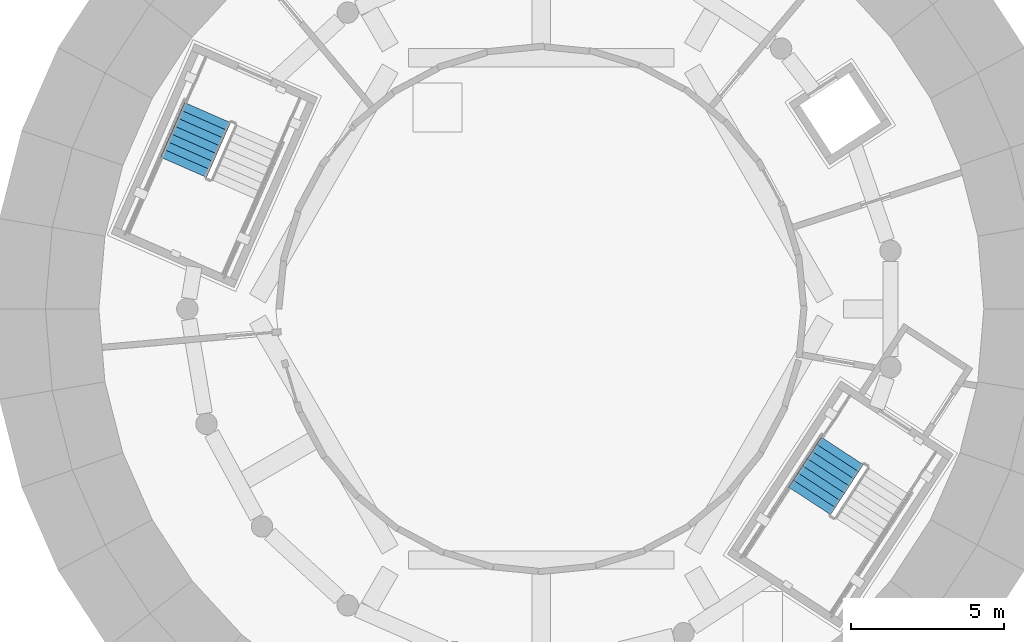
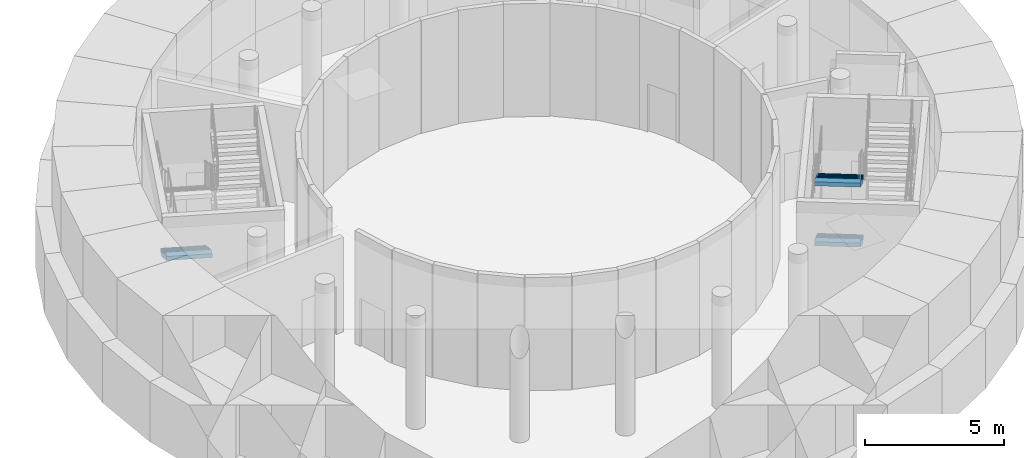
# One storey, part 79 of 125: 3 stair flights, 2 elements without a shape of their own.
"""IFC4 building model written with IfcOpenShell, lengths in metres."""

from ifc_helpers import new_model, si_unit, direction, frame, origin, place, context, subcontext, project, spatial, polyline, outline, extrude, material, type_object, element, aggregate, save


model = new_model("IFC4")

# Units and contexts
model_context = context("Model", 3, precision=1e-05, world=origin(), true_north=direction((0.0, 1.0)))
body_context = subcontext(model_context, "Body", "Model", "MODEL_VIEW")
ifc_project = project(units=[si_unit("LENGTHUNIT", "METRE"), si_unit("AREAUNIT", "SQUARE_METRE"), si_unit("VOLUMEUNIT", "CUBIC_METRE"), si_unit("PLANEANGLEUNIT", "RADIAN"), si_unit("MASSUNIT", "GRAM", prefix="KILO")], contexts=[model_context])

# Site, building, storey
site_placement = place(None, origin())
site = spatial("IfcSite", under=ifc_project, at=site_placement, CompositionType="ELEMENT")
building_placement = place(site_placement, origin())
building = spatial("IfcBuilding", under=site, at=building_placement, Name="Sun Court Science Centre", CompositionType="ELEMENT")
storey_placement = place(building_placement, frame((0.0, 0.0, 6.0)))
storey = spatial("IfcBuildingStorey", under=building, at=storey_placement, Name="L01", CompositionType="ELEMENT", Elevation=6.0)

# Stair, stair flights
ifc_material_1 = material(Name="Concrete C25/30", Category="concrete")
stair_type = type_object("IfcStairType", Name="Stair 1500 drum half-turn", PredefinedType="HALF_TURN_STAIR", material=ifc_material_1)
stair_1_placement = place(storey_placement, origin())
stair_1 = element("IfcStair", 1, at=stair_1_placement, inside=storey, type_object=stair_type, Name="L01 Stair PS1", PredefinedType="HALF_TURN_STAIR")
ifc_material_2 = material(Name="Concrete C25/30", Category="concrete")
stair_flight_type = type_object("IfcStairFlightType", Name="Stair flight 1500 with waist", PredefinedType="STRAIGHT", material=ifc_material_2)
stair_flight_1_placement = place(storey_placement, frame((60.86376953125, 92.14990234375, 0.0), z_axis=(0.0, 0.0, 1.0), x_axis=(-0.546948161968, -0.83716647575, 0.0)))
stair_flight_1 = element("IfcStairFlight", 2, at=stair_flight_1_placement, type_object=stair_flight_type, Name="PS1 flight 1", NumberOfRisers=8, NumberOfTreads=7, PredefinedType="STRAIGHT", RiserHeight=0.1640625, TreadLength=0.28, context=body_context, shape_type="SweptSolid", body=[
    extrude(outline(polyline([(0.0, 0.0), (0.0, 0.00244140625), (0.0, 0.0048828125), (0.0, 0.00732421875), (0.0, 0.009765625), (0.0, 0.01220703125), (0.0, 0.0146484375), (0.0, 0.01708984375), (0.0, 0.01953125), (0.0, 0.02197265625), (0.0, 0.0244140625), (0.0, 0.02685546875), (0.0, 0.029296875), (0.0, 0.03173828125), (0.0, 0.0341796875), (0.0, 0.03662109375), (0.0, 0.0390625), (0.0, 0.04150390625), (0.0, 0.0439453125), (0.0, 0.04638671875), (0.0, 0.048828125), (0.0, 0.05126953125), (0.0, 0.0537109375), (0.0, 0.05615234375), (0.0, 0.05859375), (0.0, 0.06103515625), (0.0, 0.0634765625), (0.0, 0.06591796875), (0.0, 0.068359375), (0.0, 0.07080078125), (0.0, 0.0732421875), (0.0, 0.07568359375), (0.0, 0.078125), (0.0, 0.08056640625), (0.0, 0.0830078125), (0.0, 0.08544921875), (0.0, 0.087890625), (0.0, 0.09033203125), (0.0, 0.0927734375), (0.0, 0.09521484375), (0.0, 0.09765625), (0.0, 0.10009765625), (0.0, 0.1025390625), (0.0, 0.10498046875), (0.0, 0.107421875), (0.0, 0.10986328125), (0.0, 0.1123046875), (0.0, 0.11474609375), (0.0, 0.1171875), (0.0, 0.11962890625), (0.0, 0.1220703125), (0.0, 0.12451171875), (0.0, 0.126953125), (0.0, 0.12939453125), (0.0, 0.1318359375), (0.0, 0.13427734375), (0.0, 0.13671875), (0.0, 0.13916015625), (0.0, 0.1416015625), (0.0, 0.14404296875), (0.0, 0.146484375), (0.0, 0.14892578125), (0.0, 0.1513671875), (0.0, 0.15380859375), (0.0, 0.15625), (0.0, 0.15869140625), (0.0, 0.1611328125), (0.0, 0.1640625), (0.280029296875, 0.1640625), (0.280029296875, 0.328125), (0.56005859375, 0.328125), (0.56005859375, 0.4921875), (0.840087890625, 0.4921875), (0.840087890625, 0.65625), (1.1201171875, 0.65625), (1.1201171875, 0.8203125), (1.39990234375, 0.8203125), (1.39990234375, 0.984375), (1.679931640625, 0.984375), (1.679931640625, 1.1484375), (1.9599609375, 1.1484375), (1.9599609375, 1.15087890625), (1.9599609375, 1.1533203125), (1.9599609375, 1.15576171875), (1.9599609375, 1.158203125), (1.9599609375, 1.16064453125), (1.9599609375, 1.1630859375), (1.9599609375, 1.16552734375), (1.9599609375, 1.16796875), (1.9599609375, 1.17041015625), (1.9599609375, 1.1728515625), (1.9599609375, 1.17529296875), (1.9599609375, 1.177734375), (1.9599609375, 1.18017578125), (1.9599609375, 1.1826171875), (1.9599609375, 1.18505859375), (1.9599609375, 1.1875), (1.9599609375, 1.18994140625), (1.9599609375, 1.1923828125), (1.9599609375, 1.19482421875), (1.9599609375, 1.197265625), (1.9599609375, 1.19970703125), (1.9599609375, 1.2021484375), (1.9599609375, 1.20458984375), (1.9599609375, 1.20703125), (1.9599609375, 1.20947265625), (1.9599609375, 1.2119140625), (1.9599609375, 1.21435546875), (1.9599609375, 1.216796875), (1.9599609375, 1.21923828125), (1.9599609375, 1.2216796875), (1.9599609375, 1.22412109375), (1.9599609375, 1.2265625), (1.9599609375, 1.22900390625), (1.9599609375, 1.2314453125), (1.9599609375, 1.23388671875), (1.9599609375, 1.236328125), (1.9599609375, 1.23876953125), (1.9599609375, 1.2412109375), (1.9599609375, 1.24365234375), (1.9599609375, 1.24609375), (1.9599609375, 1.24853515625), (1.9599609375, 1.2509765625), (1.9599609375, 1.25341796875), (1.9599609375, 1.255859375), (1.9599609375, 1.25830078125), (1.9599609375, 1.2607421875), (1.9599609375, 1.26318359375), (1.9599609375, 1.265625), (1.9599609375, 1.26806640625), (1.9599609375, 1.2705078125), (1.9599609375, 1.27294921875), (1.9599609375, 1.275390625), (1.9599609375, 1.27783203125), (1.9599609375, 1.2802734375), (1.9599609375, 1.28271484375), (1.9599609375, 1.28515625), (1.9599609375, 1.28759765625), (1.9599609375, 1.2900390625), (1.9599609375, 1.29248046875), (1.9599609375, 1.294921875), (1.9599609375, 1.29736328125), (1.9599609375, 1.2998046875), (1.9599609375, 1.30224609375), (1.9599609375, 1.3046875), (1.9599609375, 1.30712890625), (1.9599609375, 1.3095703125), (1.9599609375, 1.3125), (1.9599609375, 1.31005859375), (1.9599609375, 1.3076171875), (1.9599609375, 1.30517578125), (1.9599609375, 1.302734375), (1.9599609375, 1.30029296875), (1.9599609375, 1.2978515625), (1.9599609375, 1.29541015625), (1.9599609375, 1.29296875), (1.9599609375, 1.29052734375), (1.9599609375, 1.2880859375), (1.9599609375, 1.28564453125), (1.9599609375, 1.283203125), (1.9599609375, 1.28076171875), (1.9599609375, 1.2783203125), (1.9599609375, 1.27587890625), (1.9599609375, 1.2734375), (1.9599609375, 1.27099609375), (1.9599609375, 1.2685546875), (1.9599609375, 1.26611328125), (1.9599609375, 1.263671875), (1.9599609375, 1.26123046875), (1.9599609375, 1.2587890625), (1.9599609375, 1.25634765625), (1.9599609375, 1.25390625), (1.9599609375, 1.25146484375), (1.9599609375, 1.2490234375), (1.9599609375, 1.24658203125), (1.9599609375, 1.244140625), (1.9599609375, 1.24169921875), (1.9599609375, 1.2392578125), (1.9599609375, 1.23681640625), (1.9599609375, 1.234375), (1.9599609375, 1.23193359375), (1.9599609375, 1.2294921875), (1.9599609375, 1.22705078125), (1.9599609375, 1.224609375), (1.9599609375, 1.22216796875), (1.9599609375, 1.2197265625), (1.9599609375, 1.21728515625), (1.9599609375, 1.21484375), (1.9599609375, 1.21240234375), (1.9599609375, 1.2099609375), (1.9599609375, 1.20751953125), (1.9599609375, 1.205078125), (1.9599609375, 1.20263671875), (1.9599609375, 1.2001953125), (1.9599609375, 1.19775390625), (1.9599609375, 1.1953125), (1.9599609375, 1.19287109375), (1.9599609375, 1.1904296875), (1.9599609375, 1.18798828125), (1.9599609375, 1.185546875), (1.9599609375, 1.18310546875), (1.9599609375, 1.1806640625), (1.9599609375, 1.17822265625), (1.9599609375, 1.17578125), (1.9599609375, 1.17333984375), (1.9599609375, 1.1708984375), (1.9599609375, 1.16845703125), (1.9599609375, 1.166015625), (1.9599609375, 1.16357421875), (1.9599609375, 1.1611328125), (1.9599609375, 1.15869140625), (1.9599609375, 1.15625), (1.9599609375, 1.15380859375), (1.9599609375, 1.1513671875), (1.9599609375, 1.14892578125), (1.9599609375, 1.146484375), (1.9599609375, 1.14404296875), (1.9599609375, 1.1416015625), (1.9599609375, 1.13916015625), (1.9599609375, 1.13671875), (1.9599609375, 1.13427734375), (1.9599609375, 1.1318359375), (1.9599609375, 1.12939453125), (1.9599609375, 1.126953125), (1.9599609375, 1.12451171875), (1.9599609375, 1.1220703125), (1.9599609375, 1.11962890625), (1.9599609375, 1.1171875), (1.9599609375, 1.11474609375), (1.9599609375, 1.1123046875), (1.9599609375, 1.10986328125), (1.9599609375, 1.107421875), (1.9599609375, 1.10498046875), (1.9599609375, 1.1025390625), (1.9599609375, 1.10009765625), (1.9599609375, 1.09765625), (1.9599609375, 1.09521484375), (1.9599609375, 1.0927734375), (1.9599609375, 1.09033203125), (1.9599609375, 1.087890625), (1.9599609375, 1.08544921875), (1.9599609375, 1.0830078125), (1.9599609375, 1.08056640625), (1.9599609375, 1.078125), (1.9599609375, 1.07568359375), (1.9599609375, 1.0732421875), (1.9599609375, 1.07080078125), (1.9599609375, 1.068359375), (1.9599609375, 1.06591796875), (1.9599609375, 1.0634765625), (1.9599609375, 1.06103515625), (1.9599609375, 1.05859375), (1.9599609375, 1.05615234375), (1.9599609375, 1.0537109375), (1.9599609375, 1.05126953125), (1.9599609375, 1.048828125), (1.9599609375, 1.04638671875), (1.9599609375, 1.0439453125), (1.9599609375, 1.04150390625), (1.9599609375, 1.0390625), (1.9599609375, 1.03662109375), (1.9599609375, 1.0341796875), (1.9599609375, 1.03173828125), (1.9599609375, 1.029296875), (1.9599609375, 1.02685546875), (1.9599609375, 1.0244140625), (1.9599609375, 1.02197265625), (1.9599609375, 1.01953125), (1.9599609375, 1.01708984375), (1.9599609375, 1.0146484375), (1.9599609375, 1.01220703125), (1.9599609375, 1.009765625), (1.9599609375, 1.00732421875), (1.9599609375, 1.0048828125), (1.9599609375, 1.00244140625), (1.9599609375, 1.0), (1.9599609375, 0.99755859375), (1.9599609375, 0.9951171875), (1.9599609375, 0.99267578125), (1.9599609375, 0.990234375), (1.9599609375, 0.98779296875), (1.9599609375, 0.9853515625), (1.9599609375, 0.98291015625), (1.9599609375, 0.98046875), (1.9599609375, 0.97802734375), (1.9599609375, 0.974609375), (0.296630859375, 0.0), (0.0, 0.0)])), frame((0.0, 0.823974609375, 0.0), z_axis=(0.0, -1.0, 0.0), x_axis=(1.0, 0.0, 0.0)), (0.0, 0.0, 1.0), 1.64794921875),
])
stair_flight_2_placement = place(storey_placement, frame((60.86376953125, 92.14990234375, 2.625), z_axis=(0.0, 0.0, 1.0), x_axis=(-0.546948161968, -0.83716647575, 0.0)))
stair_flight_2 = element("IfcStairFlight", 3, at=stair_flight_2_placement, type_object=stair_flight_type, Name="PS1 flight 3", NumberOfRisers=8, NumberOfTreads=7, PredefinedType="STRAIGHT", RiserHeight=0.1640625, TreadLength=0.28, context=body_context, shape_type="SweptSolid", body=[
    extrude(outline(polyline([(0.0, 0.0), (0.0, 0.00244140625), (0.0, 0.0048828125), (0.0, 0.00732421875), (0.0, 0.009765625), (0.0, 0.01220703125), (0.0, 0.0146484375), (0.0, 0.01708984375), (0.0, 0.01953125), (0.0, 0.02197265625), (0.0, 0.0244140625), (0.0, 0.02685546875), (0.0, 0.029296875), (0.0, 0.03173828125), (0.0, 0.0341796875), (0.0, 0.03662109375), (0.0, 0.0390625), (0.0, 0.04150390625), (0.0, 0.0439453125), (0.0, 0.04638671875), (0.0, 0.048828125), (0.0, 0.05126953125), (0.0, 0.0537109375), (0.0, 0.05615234375), (0.0, 0.05859375), (0.0, 0.06103515625), (0.0, 0.0634765625), (0.0, 0.06591796875), (0.0, 0.068359375), (0.0, 0.07080078125), (0.0, 0.0732421875), (0.0, 0.07568359375), (0.0, 0.078125), (0.0, 0.08056640625), (0.0, 0.0830078125), (0.0, 0.08544921875), (0.0, 0.087890625), (0.0, 0.09033203125), (0.0, 0.0927734375), (0.0, 0.09521484375), (0.0, 0.09765625), (0.0, 0.10009765625), (0.0, 0.1025390625), (0.0, 0.10498046875), (0.0, 0.107421875), (0.0, 0.10986328125), (0.0, 0.1123046875), (0.0, 0.11474609375), (0.0, 0.1171875), (0.0, 0.11962890625), (0.0, 0.1220703125), (0.0, 0.12451171875), (0.0, 0.126953125), (0.0, 0.12939453125), (0.0, 0.1318359375), (0.0, 0.13427734375), (0.0, 0.13671875), (0.0, 0.13916015625), (0.0, 0.1416015625), (0.0, 0.14404296875), (0.0, 0.146484375), (0.0, 0.14892578125), (0.0, 0.1513671875), (0.0, 0.15380859375), (0.0, 0.15625), (0.0, 0.15869140625), (0.0, 0.1611328125), (0.0, 0.1640625), (0.280029296875, 0.1640625), (0.280029296875, 0.328125), (0.56005859375, 0.328125), (0.56005859375, 0.4921875), (0.840087890625, 0.4921875), (0.840087890625, 0.65625), (1.1201171875, 0.65625), (1.1201171875, 0.8203125), (1.39990234375, 0.8203125), (1.39990234375, 0.984375), (1.679931640625, 0.984375), (1.679931640625, 1.1484375), (1.9599609375, 1.1484375), (1.9599609375, 1.15087890625), (1.9599609375, 1.1533203125), (1.9599609375, 1.15576171875), (1.9599609375, 1.158203125), (1.9599609375, 1.16064453125), (1.9599609375, 1.1630859375), (1.9599609375, 1.16552734375), (1.9599609375, 1.16796875), (1.9599609375, 1.17041015625), (1.9599609375, 1.1728515625), (1.9599609375, 1.17529296875), (1.9599609375, 1.177734375), (1.9599609375, 1.18017578125), (1.9599609375, 1.1826171875), (1.9599609375, 1.18505859375), (1.9599609375, 1.1875), (1.9599609375, 1.18994140625), (1.9599609375, 1.1923828125), (1.9599609375, 1.19482421875), (1.9599609375, 1.197265625), (1.9599609375, 1.19970703125), (1.9599609375, 1.2021484375), (1.9599609375, 1.20458984375), (1.9599609375, 1.20703125), (1.9599609375, 1.20947265625), (1.9599609375, 1.2119140625), (1.9599609375, 1.21435546875), (1.9599609375, 1.216796875), (1.9599609375, 1.21923828125), (1.9599609375, 1.2216796875), (1.9599609375, 1.22412109375), (1.9599609375, 1.2265625), (1.9599609375, 1.22900390625), (1.9599609375, 1.2314453125), (1.9599609375, 1.23388671875), (1.9599609375, 1.236328125), (1.9599609375, 1.23876953125), (1.9599609375, 1.2412109375), (1.9599609375, 1.24365234375), (1.9599609375, 1.24609375), (1.9599609375, 1.24853515625), (1.9599609375, 1.2509765625), (1.9599609375, 1.25341796875), (1.9599609375, 1.255859375), (1.9599609375, 1.25830078125), (1.9599609375, 1.2607421875), (1.9599609375, 1.26318359375), (1.9599609375, 1.265625), (1.9599609375, 1.26806640625), (1.9599609375, 1.2705078125), (1.9599609375, 1.27294921875), (1.9599609375, 1.275390625), (1.9599609375, 1.27783203125), (1.9599609375, 1.2802734375), (1.9599609375, 1.28271484375), (1.9599609375, 1.28515625), (1.9599609375, 1.28759765625), (1.9599609375, 1.2900390625), (1.9599609375, 1.29248046875), (1.9599609375, 1.294921875), (1.9599609375, 1.29736328125), (1.9599609375, 1.2998046875), (1.9599609375, 1.30224609375), (1.9599609375, 1.3046875), (1.9599609375, 1.30712890625), (1.9599609375, 1.3095703125), (1.9599609375, 1.3125), (1.9599609375, 1.31005859375), (1.9599609375, 1.3076171875), (1.9599609375, 1.30517578125), (1.9599609375, 1.302734375), (1.9599609375, 1.30029296875), (1.9599609375, 1.2978515625), (1.9599609375, 1.29541015625), (1.9599609375, 1.29296875), (1.9599609375, 1.29052734375), (1.9599609375, 1.2880859375), (1.9599609375, 1.28564453125), (1.9599609375, 1.283203125), (1.9599609375, 1.28076171875), (1.9599609375, 1.2783203125), (1.9599609375, 1.27587890625), (1.9599609375, 1.2734375), (1.9599609375, 1.27099609375), (1.9599609375, 1.2685546875), (1.9599609375, 1.26611328125), (1.9599609375, 1.263671875), (1.9599609375, 1.26123046875), (1.9599609375, 1.2587890625), (1.9599609375, 1.25634765625), (1.9599609375, 1.25390625), (1.9599609375, 1.25146484375), (1.9599609375, 1.2490234375), (1.9599609375, 1.24658203125), (1.9599609375, 1.244140625), (1.9599609375, 1.24169921875), (1.9599609375, 1.2392578125), (1.9599609375, 1.23681640625), (1.9599609375, 1.234375), (1.9599609375, 1.23193359375), (1.9599609375, 1.2294921875), (1.9599609375, 1.22705078125), (1.9599609375, 1.224609375), (1.9599609375, 1.22216796875), (1.9599609375, 1.2197265625), (1.9599609375, 1.21728515625), (1.9599609375, 1.21484375), (1.9599609375, 1.21240234375), (1.9599609375, 1.2099609375), (1.9599609375, 1.20751953125), (1.9599609375, 1.205078125), (1.9599609375, 1.20263671875), (1.9599609375, 1.2001953125), (1.9599609375, 1.19775390625), (1.9599609375, 1.1953125), (1.9599609375, 1.19287109375), (1.9599609375, 1.1904296875), (1.9599609375, 1.18798828125), (1.9599609375, 1.185546875), (1.9599609375, 1.18310546875), (1.9599609375, 1.1806640625), (1.9599609375, 1.17822265625), (1.9599609375, 1.17578125), (1.9599609375, 1.17333984375), (1.9599609375, 1.1708984375), (1.9599609375, 1.16845703125), (1.9599609375, 1.166015625), (1.9599609375, 1.16357421875), (1.9599609375, 1.1611328125), (1.9599609375, 1.15869140625), (1.9599609375, 1.15625), (1.9599609375, 1.15380859375), (1.9599609375, 1.1513671875), (1.9599609375, 1.14892578125), (1.9599609375, 1.146484375), (1.9599609375, 1.14404296875), (1.9599609375, 1.1416015625), (1.9599609375, 1.13916015625), (1.9599609375, 1.13671875), (1.9599609375, 1.13427734375), (1.9599609375, 1.1318359375), (1.9599609375, 1.12939453125), (1.9599609375, 1.126953125), (1.9599609375, 1.12451171875), (1.9599609375, 1.1220703125), (1.9599609375, 1.11962890625), (1.9599609375, 1.1171875), (1.9599609375, 1.11474609375), (1.9599609375, 1.1123046875), (1.9599609375, 1.10986328125), (1.9599609375, 1.107421875), (1.9599609375, 1.10498046875), (1.9599609375, 1.1025390625), (1.9599609375, 1.10009765625), (1.9599609375, 1.09765625), (1.9599609375, 1.09521484375), (1.9599609375, 1.0927734375), (1.9599609375, 1.09033203125), (1.9599609375, 1.087890625), (1.9599609375, 1.08544921875), (1.9599609375, 1.0830078125), (1.9599609375, 1.08056640625), (1.9599609375, 1.078125), (1.9599609375, 1.07568359375), (1.9599609375, 1.0732421875), (1.9599609375, 1.07080078125), (1.9599609375, 1.068359375), (1.9599609375, 1.06591796875), (1.9599609375, 1.0634765625), (1.9599609375, 1.06103515625), (1.9599609375, 1.05859375), (1.9599609375, 1.05615234375), (1.9599609375, 1.0537109375), (1.9599609375, 1.05126953125), (1.9599609375, 1.048828125), (1.9599609375, 1.04638671875), (1.9599609375, 1.0439453125), (1.9599609375, 1.04150390625), (1.9599609375, 1.0390625), (1.9599609375, 1.03662109375), (1.9599609375, 1.0341796875), (1.9599609375, 1.03173828125), (1.9599609375, 1.029296875), (1.9599609375, 1.02685546875), (1.9599609375, 1.0244140625), (1.9599609375, 1.02197265625), (1.9599609375, 1.01953125), (1.9599609375, 1.01708984375), (1.9599609375, 1.0146484375), (1.9599609375, 1.01220703125), (1.9599609375, 1.009765625), (1.9599609375, 1.00732421875), (1.9599609375, 1.0048828125), (1.9599609375, 1.00244140625), (1.9599609375, 1.0), (1.9599609375, 0.99755859375), (1.9599609375, 0.9951171875), (1.9599609375, 0.99267578125), (1.9599609375, 0.990234375), (1.9599609375, 0.98779296875), (1.9599609375, 0.9853515625), (1.9599609375, 0.98291015625), (1.9599609375, 0.98046875), (1.9599609375, 0.97802734375), (1.9599609375, 0.974609375), (0.296630859375, 0.0), (0.0, 0.0)])), frame((0.0, 0.823974609375, 0.0), z_axis=(0.0, -1.0, 0.0), x_axis=(1.0, 0.0, 0.0)), (0.0, 0.0, 1.0), 1.64794921875),
])
aggregate(stair_1, [stair_flight_1, stair_flight_2])

# Stair, stair flight
stair_2_placement = place(storey_placement, origin())
stair_2 = element("IfcStair", 4, at=stair_2_placement, inside=storey, type_object=stair_type, Name="L01 Stair PS2", PredefinedType="HALF_TURN_STAIR")
stair_flight_3_placement = place(storey_placement, frame((40.0654296875, 103.236572265625, 0.0), z_axis=(0.0, 0.0, 1.0), x_axis=(-0.401695432224, -0.915773323334, 0.0)))
stair_flight_3 = element("IfcStairFlight", 5, at=stair_flight_3_placement, type_object=stair_flight_type, Name="PS2 flight 1", NumberOfRisers=8, NumberOfTreads=7, PredefinedType="STRAIGHT", RiserHeight=0.1640625, TreadLength=0.28, context=body_context, shape_type="SweptSolid", body=[
    extrude(outline(polyline([(0.0, 0.0), (0.0, 0.00244140625), (0.0, 0.0048828125), (0.0, 0.00732421875), (0.0, 0.009765625), (0.0, 0.01220703125), (0.0, 0.0146484375), (0.0, 0.01708984375), (0.0, 0.01953125), (0.0, 0.02197265625), (0.0, 0.0244140625), (0.0, 0.02685546875), (0.0, 0.029296875), (0.0, 0.03173828125), (0.0, 0.0341796875), (0.0, 0.03662109375), (0.0, 0.0390625), (0.0, 0.04150390625), (0.0, 0.0439453125), (0.0, 0.04638671875), (0.0, 0.048828125), (0.0, 0.05126953125), (0.0, 0.0537109375), (0.0, 0.05615234375), (0.0, 0.05859375), (0.0, 0.06103515625), (0.0, 0.0634765625), (0.0, 0.06591796875), (0.0, 0.068359375), (0.0, 0.07080078125), (0.0, 0.0732421875), (0.0, 0.07568359375), (0.0, 0.078125), (0.0, 0.08056640625), (0.0, 0.0830078125), (0.0, 0.08544921875), (0.0, 0.087890625), (0.0, 0.09033203125), (0.0, 0.0927734375), (0.0, 0.09521484375), (0.0, 0.09765625), (0.0, 0.10009765625), (0.0, 0.1025390625), (0.0, 0.10498046875), (0.0, 0.107421875), (0.0, 0.10986328125), (0.0, 0.1123046875), (0.0, 0.11474609375), (0.0, 0.1171875), (0.0, 0.11962890625), (0.0, 0.1220703125), (0.0, 0.12451171875), (0.0, 0.126953125), (0.0, 0.12939453125), (0.0, 0.1318359375), (0.0, 0.13427734375), (0.0, 0.13671875), (0.0, 0.13916015625), (0.0, 0.1416015625), (0.0, 0.14404296875), (0.0, 0.146484375), (0.0, 0.14892578125), (0.0, 0.1513671875), (0.0, 0.15380859375), (0.0, 0.15625), (0.0, 0.15869140625), (0.0, 0.1611328125), (0.0, 0.1640625), (0.280029296875, 0.1640625), (0.280029296875, 0.328125), (0.56005859375, 0.328125), (0.56005859375, 0.4921875), (0.840087890625, 0.4921875), (0.840087890625, 0.65625), (1.1201171875, 0.65625), (1.1201171875, 0.8203125), (1.39990234375, 0.8203125), (1.39990234375, 0.984375), (1.679931640625, 0.984375), (1.679931640625, 1.1484375), (1.9599609375, 1.1484375), (1.9599609375, 1.15087890625), (1.9599609375, 1.1533203125), (1.9599609375, 1.15576171875), (1.9599609375, 1.158203125), (1.9599609375, 1.16064453125), (1.9599609375, 1.1630859375), (1.9599609375, 1.16552734375), (1.9599609375, 1.16796875), (1.9599609375, 1.17041015625), (1.9599609375, 1.1728515625), (1.9599609375, 1.17529296875), (1.9599609375, 1.177734375), (1.9599609375, 1.18017578125), (1.9599609375, 1.1826171875), (1.9599609375, 1.18505859375), (1.9599609375, 1.1875), (1.9599609375, 1.18994140625), (1.9599609375, 1.1923828125), (1.9599609375, 1.19482421875), (1.9599609375, 1.197265625), (1.9599609375, 1.19970703125), (1.9599609375, 1.2021484375), (1.9599609375, 1.20458984375), (1.9599609375, 1.20703125), (1.9599609375, 1.20947265625), (1.9599609375, 1.2119140625), (1.9599609375, 1.21435546875), (1.9599609375, 1.216796875), (1.9599609375, 1.21923828125), (1.9599609375, 1.2216796875), (1.9599609375, 1.22412109375), (1.9599609375, 1.2265625), (1.9599609375, 1.22900390625), (1.9599609375, 1.2314453125), (1.9599609375, 1.23388671875), (1.9599609375, 1.236328125), (1.9599609375, 1.23876953125), (1.9599609375, 1.2412109375), (1.9599609375, 1.24365234375), (1.9599609375, 1.24609375), (1.9599609375, 1.24853515625), (1.9599609375, 1.2509765625), (1.9599609375, 1.25341796875), (1.9599609375, 1.255859375), (1.9599609375, 1.25830078125), (1.9599609375, 1.2607421875), (1.9599609375, 1.26318359375), (1.9599609375, 1.265625), (1.9599609375, 1.26806640625), (1.9599609375, 1.2705078125), (1.9599609375, 1.27294921875), (1.9599609375, 1.275390625), (1.9599609375, 1.27783203125), (1.9599609375, 1.2802734375), (1.9599609375, 1.28271484375), (1.9599609375, 1.28515625), (1.9599609375, 1.28759765625), (1.9599609375, 1.2900390625), (1.9599609375, 1.29248046875), (1.9599609375, 1.294921875), (1.9599609375, 1.29736328125), (1.9599609375, 1.2998046875), (1.9599609375, 1.30224609375), (1.9599609375, 1.3046875), (1.9599609375, 1.30712890625), (1.9599609375, 1.3095703125), (1.9599609375, 1.3125), (1.9599609375, 1.31005859375), (1.9599609375, 1.3076171875), (1.9599609375, 1.30517578125), (1.9599609375, 1.302734375), (1.9599609375, 1.30029296875), (1.9599609375, 1.2978515625), (1.9599609375, 1.29541015625), (1.9599609375, 1.29296875), (1.9599609375, 1.29052734375), (1.9599609375, 1.2880859375), (1.9599609375, 1.28564453125), (1.9599609375, 1.283203125), (1.9599609375, 1.28076171875), (1.9599609375, 1.2783203125), (1.9599609375, 1.27587890625), (1.9599609375, 1.2734375), (1.9599609375, 1.27099609375), (1.9599609375, 1.2685546875), (1.9599609375, 1.26611328125), (1.9599609375, 1.263671875), (1.9599609375, 1.26123046875), (1.9599609375, 1.2587890625), (1.9599609375, 1.25634765625), (1.9599609375, 1.25390625), (1.9599609375, 1.25146484375), (1.9599609375, 1.2490234375), (1.9599609375, 1.24658203125), (1.9599609375, 1.244140625), (1.9599609375, 1.24169921875), (1.9599609375, 1.2392578125), (1.9599609375, 1.23681640625), (1.9599609375, 1.234375), (1.9599609375, 1.23193359375), (1.9599609375, 1.2294921875), (1.9599609375, 1.22705078125), (1.9599609375, 1.224609375), (1.9599609375, 1.22216796875), (1.9599609375, 1.2197265625), (1.9599609375, 1.21728515625), (1.9599609375, 1.21484375), (1.9599609375, 1.21240234375), (1.9599609375, 1.2099609375), (1.9599609375, 1.20751953125), (1.9599609375, 1.205078125), (1.9599609375, 1.20263671875), (1.9599609375, 1.2001953125), (1.9599609375, 1.19775390625), (1.9599609375, 1.1953125), (1.9599609375, 1.19287109375), (1.9599609375, 1.1904296875), (1.9599609375, 1.18798828125), (1.9599609375, 1.185546875), (1.9599609375, 1.18310546875), (1.9599609375, 1.1806640625), (1.9599609375, 1.17822265625), (1.9599609375, 1.17578125), (1.9599609375, 1.17333984375), (1.9599609375, 1.1708984375), (1.9599609375, 1.16845703125), (1.9599609375, 1.166015625), (1.9599609375, 1.16357421875), (1.9599609375, 1.1611328125), (1.9599609375, 1.15869140625), (1.9599609375, 1.15625), (1.9599609375, 1.15380859375), (1.9599609375, 1.1513671875), (1.9599609375, 1.14892578125), (1.9599609375, 1.146484375), (1.9599609375, 1.14404296875), (1.9599609375, 1.1416015625), (1.9599609375, 1.13916015625), (1.9599609375, 1.13671875), (1.9599609375, 1.13427734375), (1.9599609375, 1.1318359375), (1.9599609375, 1.12939453125), (1.9599609375, 1.126953125), (1.9599609375, 1.12451171875), (1.9599609375, 1.1220703125), (1.9599609375, 1.11962890625), (1.9599609375, 1.1171875), (1.9599609375, 1.11474609375), (1.9599609375, 1.1123046875), (1.9599609375, 1.10986328125), (1.9599609375, 1.107421875), (1.9599609375, 1.10498046875), (1.9599609375, 1.1025390625), (1.9599609375, 1.10009765625), (1.9599609375, 1.09765625), (1.9599609375, 1.09521484375), (1.9599609375, 1.0927734375), (1.9599609375, 1.09033203125), (1.9599609375, 1.087890625), (1.9599609375, 1.08544921875), (1.9599609375, 1.0830078125), (1.9599609375, 1.08056640625), (1.9599609375, 1.078125), (1.9599609375, 1.07568359375), (1.9599609375, 1.0732421875), (1.9599609375, 1.07080078125), (1.9599609375, 1.068359375), (1.9599609375, 1.06591796875), (1.9599609375, 1.0634765625), (1.9599609375, 1.06103515625), (1.9599609375, 1.05859375), (1.9599609375, 1.05615234375), (1.9599609375, 1.0537109375), (1.9599609375, 1.05126953125), (1.9599609375, 1.048828125), (1.9599609375, 1.04638671875), (1.9599609375, 1.0439453125), (1.9599609375, 1.04150390625), (1.9599609375, 1.0390625), (1.9599609375, 1.03662109375), (1.9599609375, 1.0341796875), (1.9599609375, 1.03173828125), (1.9599609375, 1.029296875), (1.9599609375, 1.02685546875), (1.9599609375, 1.0244140625), (1.9599609375, 1.02197265625), (1.9599609375, 1.01953125), (1.9599609375, 1.01708984375), (1.9599609375, 1.0146484375), (1.9599609375, 1.01220703125), (1.9599609375, 1.009765625), (1.9599609375, 1.00732421875), (1.9599609375, 1.0048828125), (1.9599609375, 1.00244140625), (1.9599609375, 1.0), (1.9599609375, 0.99755859375), (1.9599609375, 0.9951171875), (1.9599609375, 0.99267578125), (1.9599609375, 0.990234375), (1.9599609375, 0.98779296875), (1.9599609375, 0.9853515625), (1.9599609375, 0.98291015625), (1.9599609375, 0.98046875), (1.9599609375, 0.97802734375), (1.9599609375, 0.974609375), (0.296630859375, 0.0), (0.0, 0.0)])), frame((0.0, 0.823974609375, 0.0), z_axis=(0.0, -1.0, 0.0), x_axis=(1.0, 0.0, 0.0)), (0.0, 0.0, 1.0), 1.64794921875),
])
aggregate(stair_2, [stair_flight_3])

save(model, "model.ifc")
